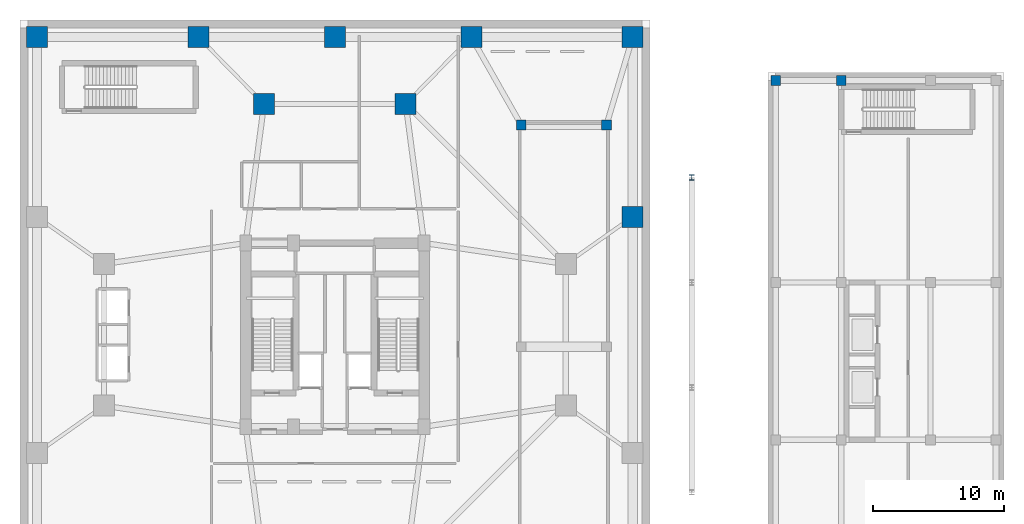
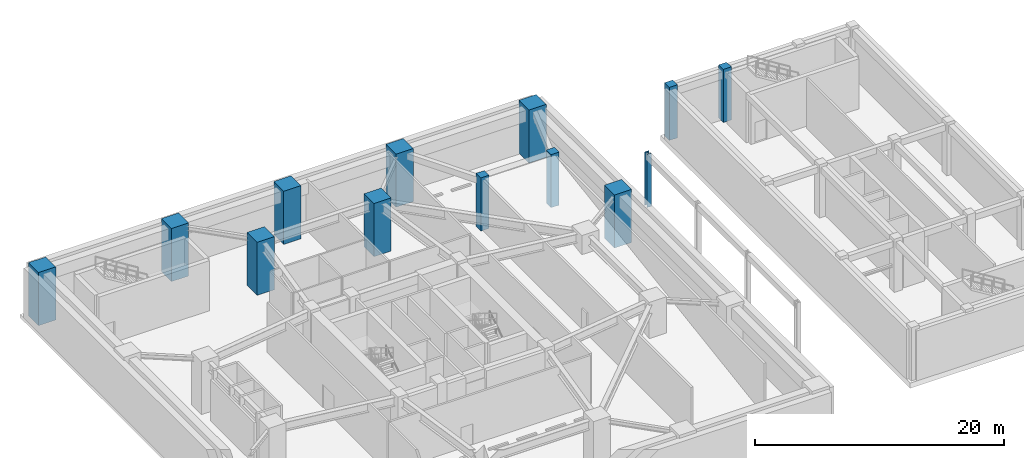
# One storey, part 2 of 13: 13 columns.
"""IFC4 building model written with IfcOpenShell, lengths in metres."""

from ifc_helpers import new_model, si_unit, direction, frame, origin, origin_2d, place, context, subcontext, project, spatial, rectangle, i_section, extrude, material, material_profile, profile_set, type_object, element, save


model = new_model("IFC4")

# Units and contexts
model_context = context("Model", 3, precision=1e-05, world=origin(), true_north=direction((0.0, 1.0)))
body_context = subcontext(model_context, "Body", "Model", "MODEL_VIEW")
ifc_project = project(units=[si_unit("LENGTHUNIT", "METRE"), si_unit("AREAUNIT", "SQUARE_METRE"), si_unit("VOLUMEUNIT", "CUBIC_METRE"), si_unit("PLANEANGLEUNIT", "RADIAN"), si_unit("MASSUNIT", "GRAM", prefix="KILO")], contexts=[model_context])

# Site, building, storey
site_placement = place(None, origin())
site = spatial("IfcSite", under=ifc_project, at=site_placement, CompositionType="ELEMENT")
building_placement = place(site_placement, origin())
building = spatial("IfcBuilding", under=site, at=building_placement, Name="Veraguas Prism Commons", CompositionType="ELEMENT")
storey_placement = place(building_placement, frame((0.0, 0.0, -5.199951171875)))
storey = spatial("IfcBuildingStorey", under=building, at=storey_placement, Name="B1", CompositionType="ELEMENT", Elevation=-5.199951171875)

# Columns
ifc_material_1 = material(Name="Concrete C50/60", Category="concrete")
ifc_material_profile_1 = material_profile(ifc_material_1, rectangle(XDim=0.75, YDim=0.75, at=origin_2d()), Name="RC750X750")
ifc_profile_set_1 = profile_set([ifc_material_profile_1], Name="Concrete C50/60")
column_type_1 = type_object("IfcColumnType", Name="Column Clinic RC 750x750", PredefinedType="COLUMN", material=ifc_profile_set_1)
for number, where, z_axis, x_axis, name in (
    (1, (38.199951171875, 40.0, 0.0), (0.0, 0.0, 1.0), (1.0, 0.0, 0.0), "Vehicle Ramp Support Column B1-RMP01"),
    (2, (44.699951171875, 40.0, 0.0), (0.0, 0.0, 1.0), (1.0, 0.0, 0.0), "Vehicle Ramp Support Column B1-RMP02"),
    (3, (57.60009765625, 43.39990234375, 0.0), (0.0, 0.0, 1.0), (1.0, 0.0, 0.0), "Health Centre Column B1-HC04"),
    (4, (62.60009765625, 43.39990234375, 0.0), (0.0, 0.0, 1.0), (1.0, 0.0, 0.0), "Health Centre Column B1-HC08"),
):
    element("IfcColumn", number, at=place(storey_placement, frame(where, z_axis=z_axis, x_axis=x_axis)), inside=storey, type_object=column_type_1, Name=name, PredefinedType="COLUMN", context=body_context, shape_type="SweptSolid", body=[
        extrude(rectangle(XDim=0.75, YDim=0.75, at=origin_2d()), origin(), (0.0, 0.0, 1.0), 5.199951171875),
    ])
ifc_material_2 = material(Name="Steel ASTM A992 Grade 50", Category="steel")
ifc_material_profile_2 = material_profile(ifc_material_2, i_section(OverallWidth=0.404052734375, OverallDepth=0.406982421875, WebThickness=0.025146484375, FlangeThickness=0.040283203125, at=origin_2d()), Name="W360X347")
ifc_profile_set_2 = profile_set([ifc_material_profile_2], Name="Steel ASTM A992 Grade 50")
column_type_2 = type_object("IfcColumnType", Name="Column Crown Portal W360x347", PredefinedType="COLUMN", material=ifc_profile_set_2)
column_placement = place(storey_placement, frame((51.199951171875, 36.0, 0.0), z_axis=(0.0, 0.0, 1.0), x_axis=(1.0, 0.0, 0.0)))
element("IfcColumn", 5, at=column_placement, inside=storey, type_object=column_type_2, Name="Plaza Canopy Column B1-CN04", PredefinedType="COLUMN", context=body_context, shape_type="SweptSolid", body=[
    extrude(i_section(OverallWidth=0.404052734375, OverallDepth=0.406982421875, WebThickness=0.025146484375, FlangeThickness=0.040283203125, at=origin_2d()), origin(), (0.0, 0.0, 1.0), 5.199951171875),
])
ifc_material_3 = material(Name="Concrete C60/75", Category="concrete")
ifc_material_profile_3 = material_profile(ifc_material_3, rectangle(XDim=1.60009765625, YDim=1.60009765625, at=origin_2d()), Name="RC1600X1600")
ifc_profile_set_3 = profile_set([ifc_material_profile_3], Name="Concrete C60/75")
column_type_3 = type_object("IfcColumnType", Name="Column Mega RC 1600x1600", PredefinedType="COLUMN", material=ifc_profile_set_3)
for number, where, z_axis, x_axis, name in (
    (6, (46.699951171875, 33.0, 0.0), (0.0, 0.0, 1.0), (1.0, 0.0, 0.0), "Podium Mega Column B1-PD09"),
    (7, (1.300048828125, 46.699951171875, 0.0), (0.0, 0.0, 1.0), (1.0, 0.0, 0.0), "Podium Mega Column B1-PD10"),
    (8, (13.60009765625, 46.699951171875, 0.0), (0.0, 0.0, 1.0), (1.0, 0.0, 0.0), "Podium Mega Column B1-PD11"),
    (9, (24.0, 46.699951171875, 0.0), (0.0, 0.0, 1.0), (1.0, 0.0, 0.0), "Podium Mega Column B1-PD12"),
    (10, (34.39990234375, 46.699951171875, 0.0), (0.0, 0.0, 1.0), (1.0, 0.0, 0.0), "Podium Mega Column B1-PD13"),
    (11, (46.699951171875, 46.699951171875, 0.0), (0.0, 0.0, 1.0), (1.0, 0.0, 0.0), "Podium Mega Column B1-PD14"),
    (12, (29.39990234375, 41.60009765625, 0.0), (0.0, 0.0, 1.0), (1.0, 0.0, 0.0), "Tower Mega Column B1-TM03"),
    (13, (18.60009765625, 41.60009765625, 0.0), (0.0, 0.0, 1.0), (1.0, 0.0, 0.0), "Tower Mega Column B1-TM04"),
):
    element("IfcColumn", number, at=place(storey_placement, frame(where, z_axis=z_axis, x_axis=x_axis)), inside=storey, type_object=column_type_3, Name=name, PredefinedType="COLUMN", context=body_context, shape_type="SweptSolid", body=[
        extrude(rectangle(XDim=1.60009765625, YDim=1.60009765625, at=origin_2d()), origin(), (0.0, 0.0, 1.0), 5.199951171875),
    ])

save(model, "model.ifc")
